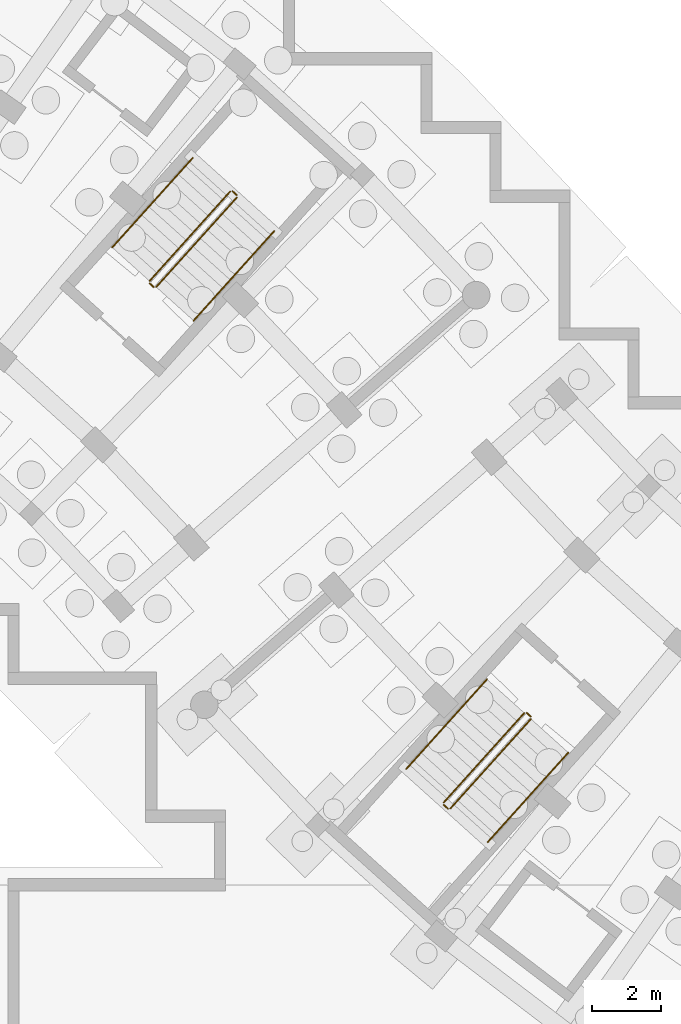
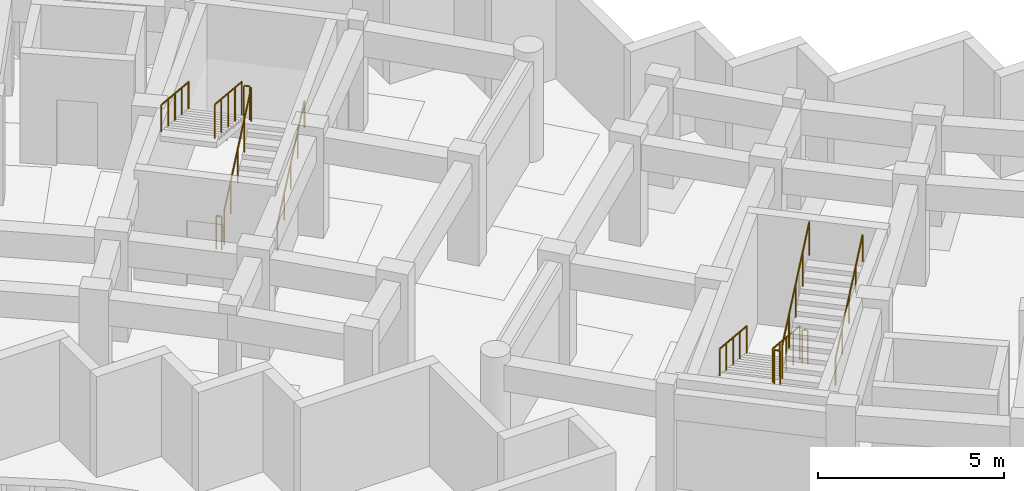
# One storey, part 30 of 32: 12 railings.
"""IFC4 building model written with IfcOpenShell, lengths in metres."""

import ifcopenshell
import ifcopenshell.guid

model = None  # the IFC model being written
_history = None  # IfcOwnerHistory: only IFC2X3 demands one
_inside = {}  # id of a spatial element -> (the spatial element, [elements in it])
_under = {}  # id of a project, library or spatial element -> (it, [spatial elements below it])
_declared = {}  # id of a project -> (the project, [libraries it declares])
_typed = {}  # id of a type object -> (the type object, [elements of that type])
_made_of = {}  # id of a material, layer set ... -> (it, [elements and type objects made of it])


def new_model(schema):
    """Start an empty IFC model of exactly this schema.

    Asked for "IFC4X3", IfcOpenShell would pick the latest addendum, in which some entities
    have other attributes; the version numbers below select the first issue.
    IFC2X3 requires an IfcOwnerHistory on every rooted entity: one is made here for all.
    """
    global model, _history
    if schema == "IFC4X3":
        model = ifcopenshell.file(schema_version=(4, 3, 0, 0))
    else:
        model = ifcopenshell.file(schema=schema)
    _inside.clear()
    _under.clear()
    _declared.clear()
    _typed.clear()
    _made_of.clear()
    _history = None
    if model.schema == "IFC2X3":
        org = make("IfcOrganization", Name="unknown")
        user = make(
            "IfcPersonAndOrganization",
            ThePerson=make("IfcPerson", FamilyName="unknown"),
            TheOrganization=org,
        )
        app = make(
            "IfcApplication",
            ApplicationDeveloper=org,
            Version="unknown",
            ApplicationFullName="unknown",
            ApplicationIdentifier="unknown",
        )
        _history = make(
            "IfcOwnerHistory",
            OwningUser=user,
            OwningApplication=app,
            ChangeAction="ADDED",
            CreationDate=0,
        )
    return model


def make(cls, **values):
    """One entity of the class cls with the attributes given. An attribute that is None is left unset."""
    return model.create_entity(
        cls, **{name: value for name, value in values.items() if value is not None}
    )


def rooted(cls, **values):
    """An entity with a GlobalId (a new one), such as an element, a storey or a relation."""
    return make(cls, GlobalId=ifcopenshell.guid.new(), OwnerHistory=_history, **values)


def si_unit(unit_type, name, prefix=None):
    """IfcSIUnit, for example si_unit("LENGTHUNIT", "METRE", prefix="MILLI")."""
    return make("IfcSIUnit", UnitType=unit_type, Prefix=prefix, Name=name)


def assignment(units):
    """IfcUnitAssignment: the units of a project."""
    return None if units is None else make("IfcUnitAssignment", Units=units)


def point(xyz):
    """IfcCartesianPoint."""
    return None if xyz is None else make("IfcCartesianPoint", Coordinates=xyz)


def direction(xyz):
    """IfcDirection."""
    return None if xyz is None else make("IfcDirection", DirectionRatios=xyz)


def frame(location, z_axis=None, x_axis=None):
    """IfcAxis2Placement3D, a coordinate frame: its origin and axes. An axis left out is left unset."""
    return make(
        "IfcAxis2Placement3D",
        Location=point(location),
        Axis=direction(z_axis),
        RefDirection=direction(x_axis),
    )


def frame_2d(location, x_axis=None):
    """IfcAxis2Placement2D, a coordinate frame in the plane: its origin and x axis."""
    return make(
        "IfcAxis2Placement2D", Location=point(location), RefDirection=direction(x_axis)
    )


def origin():
    """The frame at (0, 0, 0) with its axes left unset."""
    return frame((0.0, 0.0, 0.0))


def origin_2d():
    """The frame at (0, 0) in the plane with its x axis left unset."""
    return frame_2d((0.0, 0.0))


def place(relative_to, where):
    """IfcLocalPlacement: puts the frame where relative to a parent placement (None: the world)."""
    return make(
        "IfcLocalPlacement", PlacementRelTo=relative_to, RelativePlacement=where
    )


def context(
    kind, dimensions, precision=None, world=None, true_north=None, identifier=None
):
    """IfcGeometricRepresentationContext, for example the 3D "Model" context."""
    return make(
        "IfcGeometricRepresentationContext",
        ContextIdentifier=identifier,
        ContextType=kind,
        CoordinateSpaceDimension=dimensions,
        Precision=precision,
        WorldCoordinateSystem=world,
        TrueNorth=true_north,
    )


def subcontext(parent, identifier, kind, view, scale=None):
    """IfcGeometricRepresentationSubContext, for example "Body" below "Model"."""
    return make(
        "IfcGeometricRepresentationSubContext",
        ContextIdentifier=identifier,
        ContextType=kind,
        ParentContext=parent,
        TargetScale=scale,
        TargetView=view,
    )


def project(units=None, contexts=None):
    """IfcProject with its units and contexts."""
    return rooted(
        "IfcProject",
        Name="project",
        RepresentationContexts=contexts,
        UnitsInContext=assignment(units),
    )


def spatial(cls, under=None, at=None, **own):
    """A site, building, storey or space (cls), placed at a placement, below another one or the project."""
    s = rooted(cls, ObjectPlacement=at, **own)
    if under is not None:
        _under.setdefault(under.id(), (under, []))[1].append(s)
    return s


def profile(cls, at=None, kind="AREA", **sizes):
    """A parametric profile (cls). Its sizes go by their IFC names, for example OverallWidth=200.0."""
    return make(cls, ProfileType=kind, Position=at, **sizes)


def circle(**sizes):
    """IfcCircleProfileDef."""
    return profile("IfcCircleProfileDef", **sizes)


def extrude(swept, where, along, depth):
    """IfcExtrudedAreaSolid: the profile swept, set in the frame where, extruded along a direction by depth."""
    return make(
        "IfcExtrudedAreaSolid",
        SweptArea=swept,
        Position=where,
        ExtrudedDirection=direction(along),
        Depth=depth,
    )


def shape(context_of_items, identifier, shape_type, items):
    """IfcShapeRepresentation: the items that make up one representation, for example the "Body"."""
    return make(
        "IfcShapeRepresentation",
        ContextOfItems=context_of_items,
        RepresentationIdentifier=identifier,
        RepresentationType=shape_type,
        Items=items,
    )


def material(Name=None, Category=None):
    """IfcMaterial."""
    return make("IfcMaterial", Name=Name, Category=Category)


def made_of(thing, what):
    """Note that an element or type object is made of a material, layer set ...; save() writes the relation."""
    if what is not None:
        _made_of.setdefault(what.id(), (what, []))[1].append(thing)
    return thing


def type_object(cls, material=None, **own):
    """A type object (cls), such as IfcWallType, which elements share."""
    return made_of(rooted(cls, **own), material)


def element(
    cls,
    number,
    at=None,
    inside=None,
    cuts=None,
    type_object=None,
    material=None,
    context=None,
    identifier="Body",
    shape_type=None,
    held_by="IfcProductDefinitionShape",
    body=None,
    shapes=None,
    **own,
):
    """One element of the class cls, such as IfcWall. Its Tag is "e" and its number.

    at: its placement. inside: the storey or other place that contains it. cuts: it is an
    opening in that element (IfcRelVoidsElement). A single representation is given by context,
    identifier, shape_type and body (its items); several are given by shapes. held_by: the class
    of the entity that holds the representations. save() writes the other relations.
    """
    e = rooted(cls, Tag="e%d" % number, ObjectPlacement=at, **own)
    if body is not None:
        shapes = [shape(context, identifier, shape_type, body)]
    if shapes is not None:
        e.Representation = make(held_by, Representations=shapes)
    if inside is not None:
        _inside.setdefault(inside.id(), (inside, []))[1].append(e)
    if cuts is not None:
        rooted(
            "IfcRelVoidsElement", RelatingBuildingElement=cuts, RelatedOpeningElement=e
        )
    if type_object is not None:
        _typed.setdefault(type_object.id(), (type_object, []))[1].append(e)
    return made_of(e, material)


def aggregate(whole, parts):
    """IfcRelAggregates: a whole, such as a stair, and the parts it consists of."""
    return rooted("IfcRelAggregates", RelatingObject=whole, RelatedObjects=parts)


def save(model, path):
    """Write the relations noted so far, then the file.

    IfcRelAggregates (storeys below a building ...), IfcRelContainedInSpatialStructure (elements
    in a storey), IfcRelDefinesByType, IfcRelAssociatesMaterial and IfcRelDeclares: one each for
    every whole, place, type object, material and project.
    """
    for whole, parts in _under.values():
        aggregate(whole, parts)
    for where, things in _inside.values():
        rooted(
            "IfcRelContainedInSpatialStructure",
            RelatedElements=things,
            RelatingStructure=where,
        )
    for kind, things in _typed.values():
        rooted("IfcRelDefinesByType", RelatedObjects=things, RelatingType=kind)
    for what, things in _made_of.values():
        rooted("IfcRelAssociatesMaterial", RelatedObjects=things, RelatingMaterial=what)
    for by, libraries in _declared.values():
        rooted("IfcRelDeclares", RelatingContext=by, RelatedDefinitions=libraries)
    model.write(path)


model = new_model("IFC4")

# Units and contexts
model_context = context("Model", 3, precision=1e-05, world=origin(), true_north=direction((0.0, 1.0)))
body_context = subcontext(model_context, "Body", "Model", "MODEL_VIEW")
ifc_project = project(units=[si_unit("LENGTHUNIT", "METRE"), si_unit("AREAUNIT", "SQUARE_METRE"), si_unit("VOLUMEUNIT", "CUBIC_METRE"), si_unit("PLANEANGLEUNIT", "RADIAN"), si_unit("MASSUNIT", "GRAM", prefix="KILO")], contexts=[model_context])

# Site, building, storey
site_placement = place(None, origin())
site = spatial("IfcSite", under=ifc_project, at=site_placement, CompositionType="ELEMENT")
building_placement = place(site_placement, origin())
building = spatial("IfcBuilding", under=site, at=building_placement, Name="Zimvara Arc Housing Community", CompositionType="ELEMENT")
storey_placement = place(building_placement, frame((0.0, 0.0, -3.60009765625)))
storey = spatial("IfcBuildingStorey", under=building, at=storey_placement, Name="B1", CompositionType="ELEMENT", Elevation=-3.60009765625)

# Railings
ifc_material_1 = material(Name="Anodised Aluminium AW-6063", Category="aluminium")
railing_type_1 = type_object("IfcRailingType", Name="RLG-BAL-1120", PredefinedType="BALUSTRADE", material=ifc_material_1)
railing_1_placement = place(storey_placement, frame((80.1455078125, 83.365966796875, 0.150146484375)))
element("IfcRailing", 1, at=railing_1_placement, inside=storey, type_object=railing_type_1, Name="B1 ST-B2 stair guard 1", PredefinedType="BALUSTRADE", context=body_context, shape_type="SweptSolid", body=[
    extrude(circle(Radius=0.02392578125, at=origin_2d()), frame((0.0, 0.0, 1.09619140625), z_axis=(0.604935956308, 0.672354468396, 0.426605154203), x_axis=(-0.743394782569, 0.668852896569, 0.0)), (0.0, 0.0, 1.0), 3.867431640625),
    extrude(circle(Radius=0.02099609375, at=origin_2d()), origin(), (0.0, 0.0, 1.0), 1.072021484375),
    extrude(circle(Radius=0.02099609375, at=origin_2d()), frame((0.5849609375, 0.650146484375, 0.41259765625)), (0.0, 0.0, 1.0), 1.072021484375),
    extrude(circle(Radius=0.02099609375, at=origin_2d()), frame((1.169921875, 1.30029296875, 0.824951171875)), (0.0, 0.0, 1.0), 1.072021484375),
    extrude(circle(Radius=0.02099609375, at=origin_2d()), frame((1.754638671875, 1.9501953125, 1.2373046875)), (0.0, 0.0, 1.0), 1.072021484375),
    extrude(circle(Radius=0.02099609375, at=origin_2d()), frame((2.339599609375, 2.600341796875, 1.64990234375)), (0.0, 0.0, 1.0), 1.072021484375),
])
railing_2_placement = place(storey_placement, frame((82.4814453125, 86.037109375, 1.800048828125)))
element("IfcRailing", 2, at=railing_2_placement, inside=storey, type_object=railing_type_1, Name="B1 ST-B2 stair guard 2", PredefinedType="BALUSTRADE", context=body_context, shape_type="SweptSolid", body=[
    extrude(circle(Radius=0.02392578125, at=origin_2d()), frame((0.0, 0.0, 1.09619140625), z_axis=(-0.743521848755, 0.668711642207, 0.0), x_axis=(-0.668711642207, -0.743521848755, 0.0)), (0.0, 0.0, 1.0), 0.159912109375),
    extrude(circle(Radius=0.02099609375, at=origin_2d()), origin(), (0.0, 0.0, 1.0), 1.072021484375),
    extrude(circle(Radius=0.02099609375, at=origin_2d()), frame((-0.118896484375, 0.10693359375, 0.0)), (0.0, 0.0, 1.0), 1.072021484375),
])
railing_3_placement = place(storey_placement, frame((82.2919921875, 86.140380859375, 1.9501953125)))
element("IfcRailing", 3, at=railing_3_placement, inside=storey, type_object=railing_type_1, Name="B1 ST-B2 stair guard 3", PredefinedType="BALUSTRADE", context=body_context, shape_type="SweptSolid", body=[
    extrude(circle(Radius=0.02392578125, at=origin_2d()), frame((0.0, 0.0, 1.09619140625), z_axis=(-0.60497597918, -0.672328793223, 0.426588863449), x_axis=(0.743360079212, -0.668891465512, 0.0)), (0.0, 0.0, 1.0), 3.86767578125),
    extrude(circle(Radius=0.02099609375, at=origin_2d()), origin(), (0.0, 0.0, 1.0), 1.072021484375),
    extrude(circle(Radius=0.02099609375, at=origin_2d()), frame((-0.5849609375, -0.650146484375, 0.41259765625)), (0.0, 0.0, 1.0), 1.072021484375),
    extrude(circle(Radius=0.02099609375, at=origin_2d()), frame((-1.169921875, -1.30029296875, 0.824951171875)), (0.0, 0.0, 1.0), 1.072021484375),
    extrude(circle(Radius=0.02099609375, at=origin_2d()), frame((-1.7548828125, -1.9501953125, 1.2373046875)), (0.0, 0.0, 1.0), 1.072021484375),
    extrude(circle(Radius=0.02099609375, at=origin_2d()), frame((-2.33984375, -2.600341796875, 1.64990234375)), (0.0, 0.0, 1.0), 1.072021484375),
])
railing_4_placement = place(storey_placement, frame((80.074951171875, 83.3623046875, 0.0)))
element("IfcRailing", 4, at=railing_4_placement, inside=storey, type_object=railing_type_1, Name="B1 ST-B2 stair guard 4", PredefinedType="BALUSTRADE", context=body_context, shape_type="SweptSolid", body=[
    extrude(circle(Radius=0.02392578125, at=origin_2d()), frame((0.0, 0.0, 1.09619140625), z_axis=(-0.742763048172, 0.669554369913, 0.0), x_axis=(-0.669554369913, -0.742763048172, 0.0)), (0.0, 0.0, 1.0), 0.16015625),
    extrude(circle(Radius=0.02099609375, at=origin_2d()), origin(), (0.0, 0.0, 1.0), 1.072021484375),
    extrude(circle(Radius=0.02099609375, at=origin_2d()), frame((-0.118896484375, 0.107177734375, 0.0)), (0.0, 0.0, 1.0), 1.072021484375),
])
railing_5_placement = place(storey_placement, frame((90.83447265625, 70.993896484375, 0.150146484375)))
element("IfcRailing", 5, at=railing_5_placement, inside=storey, type_object=railing_type_1, Name="B1 ST-C1 stair guard 1", PredefinedType="BALUSTRADE", context=body_context, shape_type="SweptSolid", body=[
    extrude(circle(Radius=0.02392578125, at=origin_2d()), frame((0.0, 0.0, 1.09619140625), z_axis=(-0.604935956308, -0.672354468396, 0.426605154203), x_axis=(0.743394782569, -0.668852896569, 0.0)), (0.0, 0.0, 1.0), 3.867431640625),
    extrude(circle(Radius=0.02099609375, at=origin_2d()), origin(), (0.0, 0.0, 1.0), 1.072021484375),
    extrude(circle(Radius=0.02099609375, at=origin_2d()), frame((-0.5849609375, -0.650146484375, 0.41259765625)), (0.0, 0.0, 1.0), 1.072021484375),
    extrude(circle(Radius=0.02099609375, at=origin_2d()), frame((-1.169921875, -1.30029296875, 0.824951171875)), (0.0, 0.0, 1.0), 1.072021484375),
    extrude(circle(Radius=0.02099609375, at=origin_2d()), frame((-1.754638671875, -1.9501953125, 1.2373046875)), (0.0, 0.0, 1.0), 1.072021484375),
    extrude(circle(Radius=0.02099609375, at=origin_2d()), frame((-2.339599609375, -2.600341796875, 1.64990234375)), (0.0, 0.0, 1.0), 1.072021484375),
])
railing_6_placement = place(storey_placement, frame((88.49853515625, 68.322998046875, 1.800048828125)))
element("IfcRailing", 6, at=railing_6_placement, inside=storey, type_object=railing_type_1, Name="B1 ST-C1 stair guard 2", PredefinedType="BALUSTRADE", context=body_context, shape_type="SweptSolid", body=[
    extrude(circle(Radius=0.02392578125, at=origin_2d()), frame((0.0, 0.0, 1.09619140625), z_axis=(0.743521848755, -0.668711642207, 0.0), x_axis=(0.668711642207, 0.743521848755, 0.0)), (0.0, 0.0, 1.0), 0.159912109375),
    extrude(circle(Radius=0.02099609375, at=origin_2d()), origin(), (0.0, 0.0, 1.0), 1.072021484375),
    extrude(circle(Radius=0.02099609375, at=origin_2d()), frame((0.118896484375, -0.10693359375, 0.0)), (0.0, 0.0, 1.0), 1.072021484375),
])
railing_7_placement = place(storey_placement, frame((88.68798828125, 68.2197265625, 1.9501953125)))
element("IfcRailing", 7, at=railing_7_placement, inside=storey, type_object=railing_type_1, Name="B1 ST-C1 stair guard 3", PredefinedType="BALUSTRADE", context=body_context, shape_type="SweptSolid", body=[
    extrude(circle(Radius=0.02392578125, at=origin_2d()), frame((0.0, 0.0, 1.09619140625), z_axis=(0.60497597918, 0.672328793223, 0.426588863449), x_axis=(-0.743360079212, 0.668891465512, 0.0)), (0.0, 0.0, 1.0), 3.86767578125),
    extrude(circle(Radius=0.02099609375, at=origin_2d()), origin(), (0.0, 0.0, 1.0), 1.072021484375),
    extrude(circle(Radius=0.02099609375, at=origin_2d()), frame((0.5849609375, 0.650146484375, 0.41259765625)), (0.0, 0.0, 1.0), 1.072021484375),
    extrude(circle(Radius=0.02099609375, at=origin_2d()), frame((1.169921875, 1.30029296875, 0.824951171875)), (0.0, 0.0, 1.0), 1.072021484375),
    extrude(circle(Radius=0.02099609375, at=origin_2d()), frame((1.7548828125, 1.9501953125, 1.2373046875)), (0.0, 0.0, 1.0), 1.072021484375),
    extrude(circle(Radius=0.02099609375, at=origin_2d()), frame((2.33984375, 2.600341796875, 1.64990234375)), (0.0, 0.0, 1.0), 1.072021484375),
])
railing_8_placement = place(storey_placement, frame((90.905029296875, 70.99755859375, 0.0)))
element("IfcRailing", 8, at=railing_8_placement, inside=storey, type_object=railing_type_1, Name="B1 ST-C1 stair guard 4", PredefinedType="BALUSTRADE", context=body_context, shape_type="SweptSolid", body=[
    extrude(circle(Radius=0.02392578125, at=origin_2d()), frame((0.0, 0.0, 1.09619140625), z_axis=(0.744203407529, -0.667953058397, 0.0), x_axis=(0.667953058397, 0.744203407529, 0.0)), (0.0, 0.0, 1.0), 0.16015625),
    extrude(circle(Radius=0.02099609375, at=origin_2d()), origin(), (0.0, 0.0, 1.0), 1.072021484375),
    extrude(circle(Radius=0.02099609375, at=origin_2d()), frame((0.119140625, -0.10693359375, 0.0)), (0.0, 0.0, 1.0), 1.072021484375),
])
ifc_material_2 = material(Name="Anodised Aluminium AW-6063", Category="aluminium")
railing_type_2 = type_object("IfcRailingType", Name="RLG-HND-900", PredefinedType="HANDRAIL", material=ifc_material_2)
railing_9_placement = place(storey_placement, frame((81.230712890625, 82.389404296875, 0.150146484375)))
element("IfcRailing", 9, at=railing_9_placement, inside=storey, type_object=railing_type_2, Name="B1 ST-B2 stair handrail 1", PredefinedType="HANDRAIL", context=body_context, shape_type="SweptSolid", body=[
    extrude(circle(Radius=0.02392578125, at=origin_2d()), frame((0.0, 0.0, 0.8759765625), z_axis=(0.60497597918, 0.672328793223, 0.426588863449), x_axis=(-0.743360079212, 0.668891465512, 0.0)), (0.0, 0.0, 1.0), 3.86767578125),
    extrude(circle(Radius=0.02099609375, at=origin_2d()), origin(), (0.0, 0.0, 1.0), 0.851806640625),
    extrude(circle(Radius=0.02099609375, at=origin_2d()), frame((0.5849609375, 0.650146484375, 0.41259765625)), (0.0, 0.0, 1.0), 0.851806640625),
    extrude(circle(Radius=0.02099609375, at=origin_2d()), frame((1.169921875, 1.30029296875, 0.824951171875)), (0.0, 0.0, 1.0), 0.851806640625),
    extrude(circle(Radius=0.02099609375, at=origin_2d()), frame((1.7548828125, 1.9501953125, 1.2373046875)), (0.0, 0.0, 1.0), 0.851806640625),
    extrude(circle(Radius=0.02099609375, at=origin_2d()), frame((2.33984375, 2.600341796875, 1.64990234375)), (0.0, 0.0, 1.0), 0.851806640625),
])
railing_10_placement = place(storey_placement, frame((81.20654296875, 87.116943359375, 1.9501953125)))
element("IfcRailing", 10, at=railing_10_placement, inside=storey, type_object=railing_type_2, Name="B1 ST-B2 stair handrail 2", PredefinedType="HANDRAIL", context=body_context, shape_type="SweptSolid", body=[
    extrude(circle(Radius=0.02392578125, at=origin_2d()), frame((0.0, 0.0, 0.8759765625), z_axis=(-0.604935956308, -0.672354468396, 0.426605154203), x_axis=(0.743394782569, -0.668852896569, 0.0)), (0.0, 0.0, 1.0), 3.867431640625),
    extrude(circle(Radius=0.02099609375, at=origin_2d()), origin(), (0.0, 0.0, 1.0), 0.851806640625),
    extrude(circle(Radius=0.02099609375, at=origin_2d()), frame((-0.5849609375, -0.650146484375, 0.41259765625)), (0.0, 0.0, 1.0), 0.851806640625),
    extrude(circle(Radius=0.02099609375, at=origin_2d()), frame((-1.169921875, -1.30029296875, 0.824951171875)), (0.0, 0.0, 1.0), 0.851806640625),
    extrude(circle(Radius=0.02099609375, at=origin_2d()), frame((-1.754638671875, -1.9501953125, 1.2373046875)), (0.0, 0.0, 1.0), 0.851806640625),
    extrude(circle(Radius=0.02099609375, at=origin_2d()), frame((-2.339599609375, -2.600341796875, 1.64990234375)), (0.0, 0.0, 1.0), 0.851806640625),
])
railing_11_placement = place(storey_placement, frame((89.749267578125, 71.970458984375, 0.150146484375)))
element("IfcRailing", 11, at=railing_11_placement, inside=storey, type_object=railing_type_2, Name="B1 ST-C1 stair handrail 1", PredefinedType="HANDRAIL", context=body_context, shape_type="SweptSolid", body=[
    extrude(circle(Radius=0.02392578125, at=origin_2d()), frame((0.0, 0.0, 0.8759765625), z_axis=(-0.60497597918, -0.672328793223, 0.426588863449), x_axis=(0.743360079212, -0.668891465512, 0.0)), (0.0, 0.0, 1.0), 3.86767578125),
    extrude(circle(Radius=0.02099609375, at=origin_2d()), origin(), (0.0, 0.0, 1.0), 0.851806640625),
    extrude(circle(Radius=0.02099609375, at=origin_2d()), frame((-0.5849609375, -0.650146484375, 0.41259765625)), (0.0, 0.0, 1.0), 0.851806640625),
    extrude(circle(Radius=0.02099609375, at=origin_2d()), frame((-1.169921875, -1.30029296875, 0.824951171875)), (0.0, 0.0, 1.0), 0.851806640625),
    extrude(circle(Radius=0.02099609375, at=origin_2d()), frame((-1.7548828125, -1.9501953125, 1.2373046875)), (0.0, 0.0, 1.0), 0.851806640625),
    extrude(circle(Radius=0.02099609375, at=origin_2d()), frame((-2.33984375, -2.600341796875, 1.64990234375)), (0.0, 0.0, 1.0), 0.851806640625),
])
railing_12_placement = place(storey_placement, frame((89.7734375, 67.2431640625, 1.9501953125)))
element("IfcRailing", 12, at=railing_12_placement, inside=storey, type_object=railing_type_2, Name="B1 ST-C1 stair handrail 2", PredefinedType="HANDRAIL", context=body_context, shape_type="SweptSolid", body=[
    extrude(circle(Radius=0.02392578125, at=origin_2d()), frame((0.0, 0.0, 0.8759765625), z_axis=(0.604935956308, 0.672354468396, 0.426605154203), x_axis=(-0.743394782569, 0.668852896569, 0.0)), (0.0, 0.0, 1.0), 3.867431640625),
    extrude(circle(Radius=0.02099609375, at=origin_2d()), origin(), (0.0, 0.0, 1.0), 0.851806640625),
    extrude(circle(Radius=0.02099609375, at=origin_2d()), frame((0.5849609375, 0.650146484375, 0.41259765625)), (0.0, 0.0, 1.0), 0.851806640625),
    extrude(circle(Radius=0.02099609375, at=origin_2d()), frame((1.169921875, 1.30029296875, 0.824951171875)), (0.0, 0.0, 1.0), 0.851806640625),
    extrude(circle(Radius=0.02099609375, at=origin_2d()), frame((1.754638671875, 1.9501953125, 1.2373046875)), (0.0, 0.0, 1.0), 0.851806640625),
    extrude(circle(Radius=0.02099609375, at=origin_2d()), frame((2.339599609375, 2.600341796875, 1.64990234375)), (0.0, 0.0, 1.0), 0.851806640625),
])

save(model, "model.ifc")
